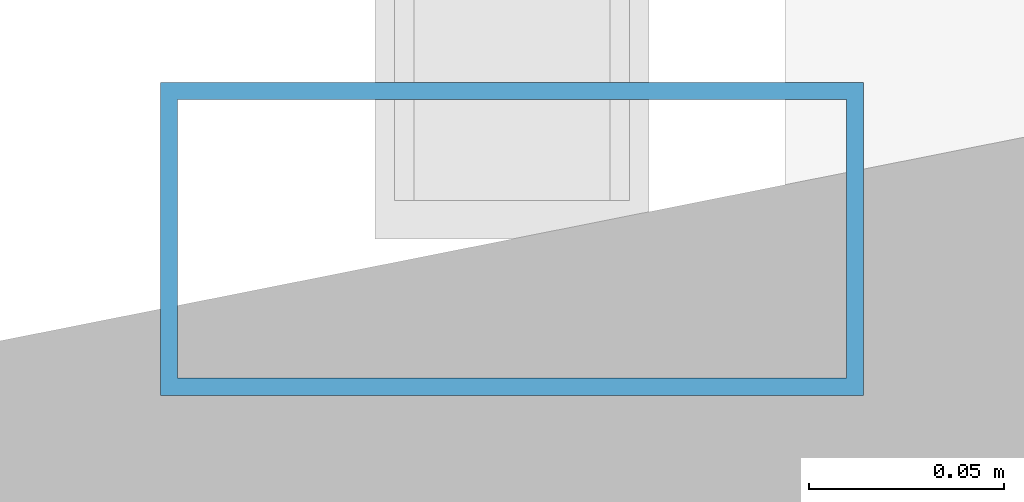
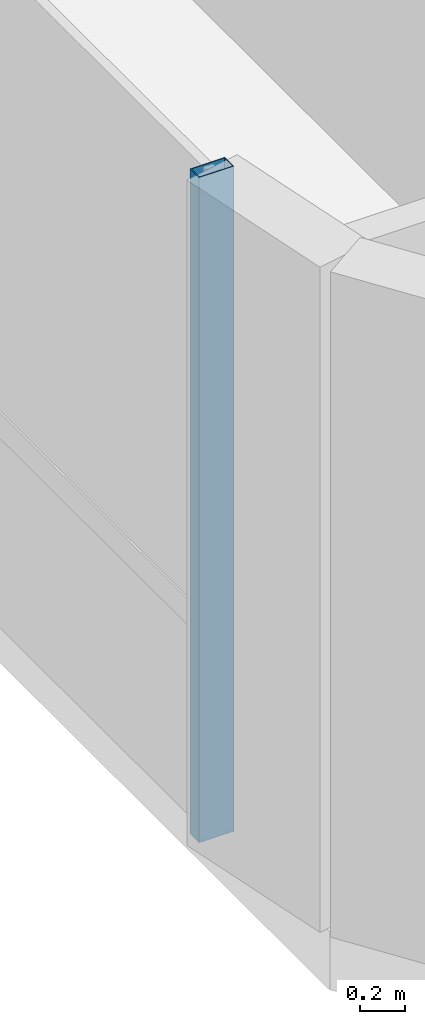
# One storey, part 10 of 39: 1 member, 1 element without a shape of its own.
"""IFC4 building model written with IfcOpenShell, lengths in metres."""

from ifc_helpers import new_model, si_unit, direction, frame, origin, origin_2d, place, context, subcontext, project, spatial, hollow_rectangle, extrude, source, transform, mapped, material, material_profile, profile_set, type_object, element, aggregate, save


model = new_model("IFC4")

# Units and contexts
model_context = context("Model", 3, precision=1e-05, world=origin(), true_north=direction((0.0, 1.0)))
body_context = subcontext(model_context, "Body", "Model", "MODEL_VIEW")
ifc_project = project(units=[si_unit("LENGTHUNIT", "METRE"), si_unit("AREAUNIT", "SQUARE_METRE"), si_unit("VOLUMEUNIT", "CUBIC_METRE"), si_unit("PLANEANGLEUNIT", "RADIAN"), si_unit("MASSUNIT", "GRAM", prefix="KILO")], contexts=[model_context])

# Site, building, storey
site_placement = place(None, origin())
site = spatial("IfcSite", under=ifc_project, at=site_placement, CompositionType="ELEMENT")
building_placement = place(site_placement, origin())
building = spatial("IfcBuilding", under=site, at=building_placement, Name="Valdorenza Pilgrim Sanctuary Tower", CompositionType="ELEMENT")
storey_placement = place(building_placement, frame((0.0, 0.0, 184.449951171875)))
storey = spatial("IfcBuildingStorey", under=building, at=storey_placement, Name="L47", CompositionType="ELEMENT", Elevation=184.449951171875)

# Curtain wall, member
ifc_material_1 = material(Name="Curtain-wall IGU glazing", Category="glass")
curtain_wall_type = type_object("IfcCurtainWallType", Name="CW-SYS-05", PredefinedType="NOTDEFINED", material=ifc_material_1)
curtain_wall_placement = place(storey_placement, origin())
curtain_wall = element("IfcCurtainWall", 1, at=curtain_wall_placement, inside=storey, type_object=curtain_wall_type, Name="L47 Curtain Wall CW-L47-1-47", PredefinedType="NOTDEFINED")
ifc_material_2 = material(Name="Anodised aluminium AW-6060", Category="aluminium")
ifc_material_profile = material_profile(ifc_material_2, hollow_rectangle(XDim=0.080078125, YDim=0.179931640625, WallThickness=0.00439453125, at=origin_2d()), Name="ALU-M 180x80x4.5")
ifc_profile_set = profile_set([ifc_material_profile], Name="Anodised aluminium AW-6060")
member_type = type_object("IfcMemberType", Name="CW-MUL-05", PredefinedType="MULLION", material=ifc_profile_set)
shared_shape = source(origin(), body_context, "Body", "SweptSolid", [
    extrude(hollow_rectangle(XDim=0.080078125, YDim=0.179931640625, WallThickness=0.00439453125, at=origin_2d()), origin(), (0.0, 0.0, 1.0), 3.630126953125),
])
member_placement = place(storey_placement, frame((13.610107421875, -9.589111328125, 0.0), z_axis=(0.0, 0.0, 1.0), x_axis=(0.0, 1.0, 0.0)))
member = element("IfcMember", 2, at=member_placement, type_object=member_type, Name="CW-L47-1-47 Mullion 1", PredefinedType="MULLION", context=body_context, shape_type="MappedRepresentation", body=[
    mapped(shared_shape, transform((0.0, 0.0, 0.0), x_axis=(1.0, 0.0, 0.0), y_axis=(0.0, 1.0, 0.0), z_axis=(0.0, 0.0, 1.0), scale=1.0)),
])
aggregate(curtain_wall, [member])

save(model, "model.ifc")
